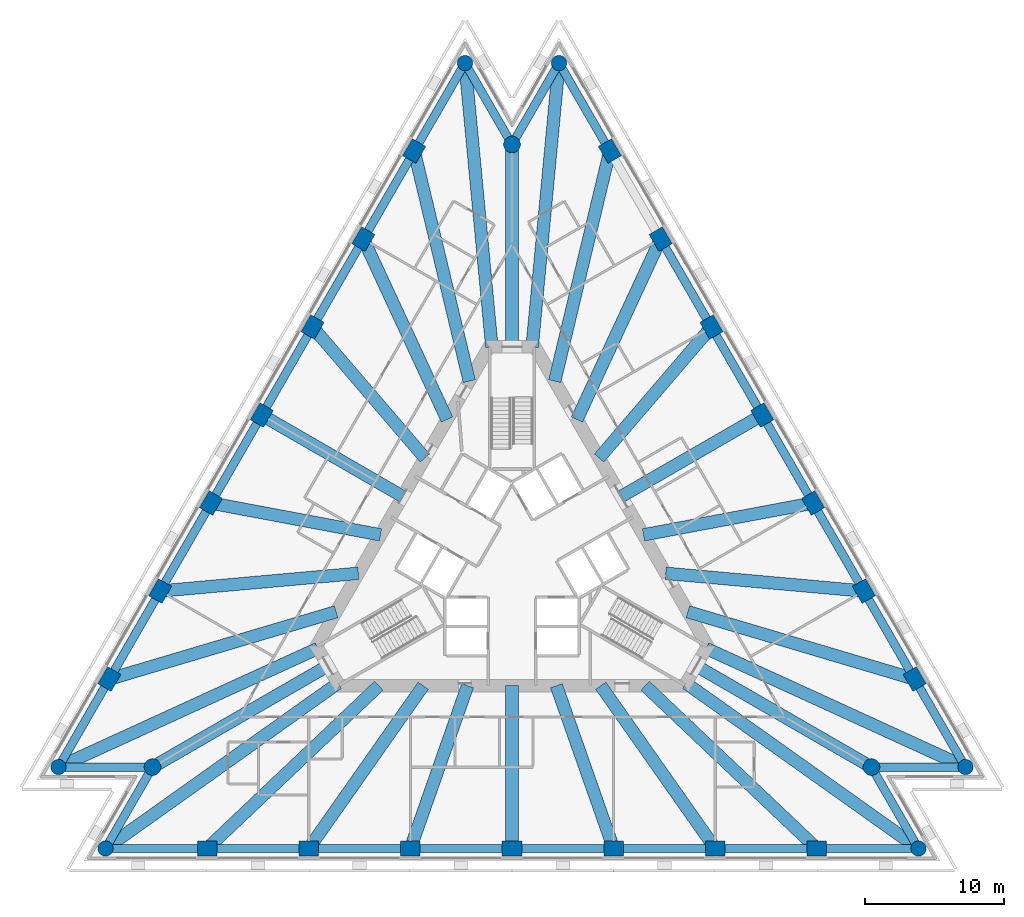
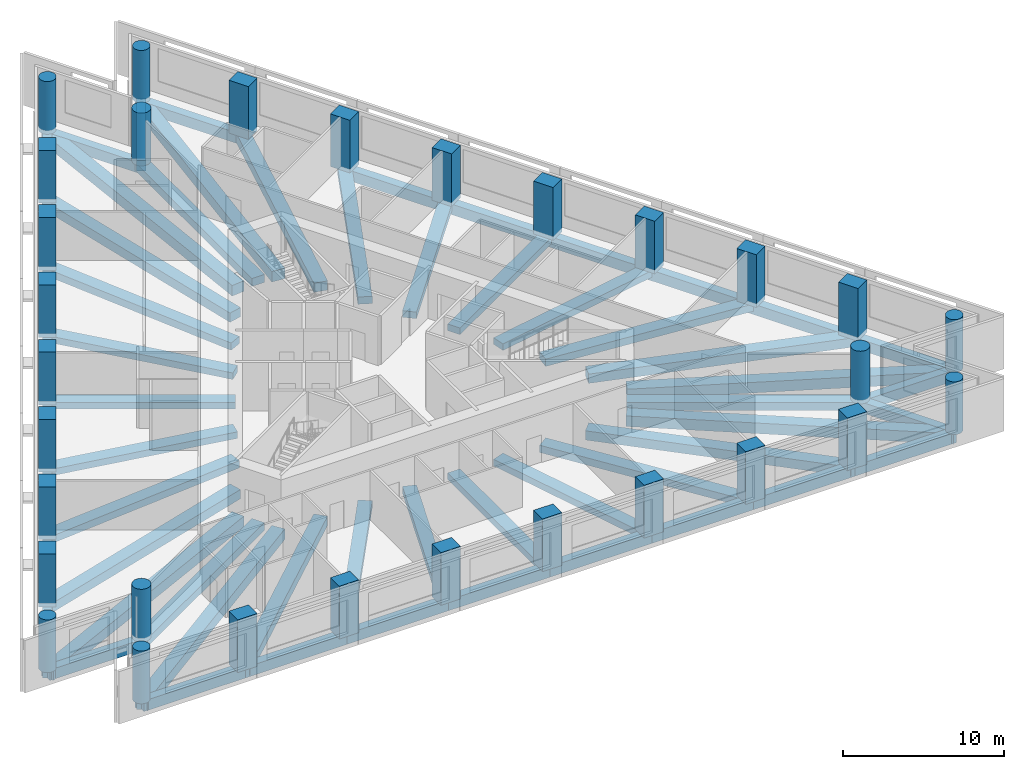
# One storey, part 1 of 11: 59 beams, 30 columns.
"""IFC4 building model written with IfcOpenShell, lengths in metres."""

from ifc_helpers import new_model, si_unit, direction, frame, origin, origin_2d, place, context, subcontext, project, spatial, rectangle, circle, extrude, material, material_profile, profile_set, type_object, element, save


model = new_model("IFC4")

# Units and contexts
model_context = context("Model", 3, precision=1e-05, world=origin(), true_north=direction((0.0, 1.0)))
body_context = subcontext(model_context, "Body", "Model", "MODEL_VIEW")
ifc_project = project(units=[si_unit("LENGTHUNIT", "METRE"), si_unit("AREAUNIT", "SQUARE_METRE"), si_unit("VOLUMEUNIT", "CUBIC_METRE"), si_unit("PLANEANGLEUNIT", "RADIAN"), si_unit("MASSUNIT", "GRAM", prefix="KILO")], contexts=[model_context])

# Site, building, storey
site_placement = place(None, origin())
site = spatial("IfcSite", under=ifc_project, at=site_placement, CompositionType="ELEMENT")
building_placement = place(site_placement, origin())
building = spatial("IfcBuilding", under=site, at=building_placement, Name="Triada Interchange Tower", CompositionType="ELEMENT")
storey_placement = place(building_placement, frame((0.0, 0.0, 75.300048828125)))
storey = spatial("IfcBuildingStorey", under=building, at=storey_placement, Name="L16", CompositionType="ELEMENT", Elevation=75.300048828125)

# Columns
ifc_material_1 = material(Name="Concrete C70/85", Category="concrete")
ifc_material_profile_1 = material_profile(ifc_material_1, rectangle(XDim=1.39990234375, YDim=1.10009765625, at=origin_2d()), Name="RC 1400x1100")
ifc_profile_set_1 = profile_set([ifc_material_profile_1], Name="Concrete C70/85")
column_type_1 = type_object("IfcColumnType", Name="Column A face RC 1400x1100", PredefinedType="COLUMN", material=ifc_profile_set_1)
for number, where, z_axis, x_axis, name in (
    (1, (-7.014892578125, 29.294921875, -0.300048828125), (0.0, 0.0, 1.0), (0.5, 0.866025403784, 0.0), "Column CA02 L16"),
    (2, (-10.657958984375, 22.98388671875, -0.300048828125), (0.0, 0.0, 1.0), (0.5, 0.866025403784, 0.0), "Column CA03 L16"),
    (3, (-14.302001953125, 16.672119140625, -0.300048828125), (0.0, 0.0, 1.0), (0.5, 0.866025403784, 0.0), "Column CA04 L16"),
    (4, (-17.946044921875, 10.361083984375, -0.300048828125), (0.0, 0.0, 1.0), (0.5, 0.866025403784, 0.0), "Column CA05 L16"),
    (5, (-21.590087890625, 4.050048828125, -0.300048828125), (0.0, 0.0, 1.0), (0.5, 0.866025403784, 0.0), "Column CA06 L16"),
    (6, (-25.23388671875, -2.260986328125, -0.300048828125), (0.0, 0.0, 1.0), (0.5, 0.866025403784, 0.0), "Column CA07 L16"),
    (7, (-28.876953125, -8.572998046875, -0.300048828125), (0.0, 0.0, 1.0), (0.5, 0.866025403784, 0.0), "Column CA08 L16"),
    (8, (-21.862060546875, -20.721923828125, -0.300048828125), (0.0, 0.0, 1.0), (1.0, 0.0, 0.0), "Column CA11 L16"),
    (9, (-14.574951171875, -20.721923828125, -0.300048828125), (0.0, 0.0, 1.0), (1.0, 0.0, 0.0), "Column CA12 L16"),
    (10, (-7.2880859375, -20.721923828125, -0.300048828125), (0.0, 0.0, 1.0), (1.0, 0.0, 0.0), "Column CA13 L16"),
    (11, (0.0, -20.721923828125, -0.300048828125), (0.0, 0.0, 1.0), (1.0, 0.0, 0.0), "Column CA14 L16"),
    (12, (7.2880859375, -20.721923828125, -0.300048828125), (0.0, 0.0, 1.0), (1.0, 0.0, 0.0), "Column CA15 L16"),
    (13, (14.574951171875, -20.721923828125, -0.300048828125), (0.0, 0.0, 1.0), (1.0, 0.0, 0.0), "Column CA16 L16"),
    (14, (21.862060546875, -20.721923828125, -0.300048828125), (0.0, 0.0, 1.0), (1.0, 0.0, 0.0), "Column CA17 L16"),
    (15, (28.876953125, -8.572998046875, -0.300048828125), (0.0, 0.0, 1.0), (-0.5, 0.866025403784, 0.0), "Column CA20 L16"),
    (16, (25.23388671875, -2.261962890625, -0.300048828125), (0.0, 0.0, 1.0), (-0.5, 0.866025403784, 0.0), "Column CA21 L16"),
    (17, (21.590087890625, 4.050048828125, -0.300048828125), (0.0, 0.0, 1.0), (-0.5, 0.866025403784, 0.0), "Column CA22 L16"),
    (18, (17.946044921875, 10.361083984375, -0.300048828125), (0.0, 0.0, 1.0), (-0.5, 0.866025403784, 0.0), "Column CA23 L16"),
    (19, (14.302001953125, 16.672119140625, -0.300048828125), (0.0, 0.0, 1.0), (-0.5, 0.866025403784, 0.0), "Column CA24 L16"),
    (20, (10.657958984375, 22.98388671875, -0.300048828125), (0.0, 0.0, 1.0), (-0.5, 0.866025403784, 0.0), "Column CA25 L16"),
    (21, (7.014892578125, 29.294921875, -0.300048828125), (0.0, 0.0, 1.0), (-0.5, 0.866025403784, 0.0), "Column CA26 L16"),
):
    element("IfcColumn", number, at=place(storey_placement, frame(where, z_axis=z_axis, x_axis=x_axis)), inside=storey, type_object=column_type_1, Name=name, PredefinedType="COLUMN", context=body_context, shape_type="SweptSolid", body=[
        extrude(rectangle(XDim=1.39990234375, YDim=1.10009765625, at=origin_2d()), origin(), (0.0, 0.0, 1.0), 4.0),
    ])
ifc_material_profile_2 = material_profile(ifc_material_1, circle(Radius=0.550048828125, at=origin_2d()), Name="RC D1100")
ifc_profile_set_2 = profile_set([ifc_material_profile_2], Name="Concrete C70/85")
column_type_2 = type_object("IfcColumnType", Name="End column A RC D1100", PredefinedType="COLUMN", material=ifc_profile_set_2)
for number, where, z_axis, x_axis, name in (
    (22, (-3.37109375, 35.60595703125, -0.300048828125), (0.0, 0.0, 1.0), (0.5, 0.866025403784, 0.0), "Column CA01 L16"),
    (23, (-32.52099609375, -14.884033203125, -0.300048828125), (0.0, 0.0, 1.0), (0.5, 0.866025403784, 0.0), "Column CA09 L16"),
    (24, (-29.14990234375, -20.721923828125, -0.300048828125), (0.0, 0.0, 1.0), (1.0, 0.0, 0.0), "Column CA10 L16"),
    (25, (29.14990234375, -20.721923828125, -0.300048828125), (0.0, 0.0, 1.0), (1.0, 0.0, 0.0), "Column CA18 L16"),
    (26, (32.52099609375, -14.884033203125, -0.300048828125), (0.0, 0.0, 1.0), (-0.5, 0.866025403784, 0.0), "Column CA19 L16"),
    (27, (3.37109375, 35.60595703125, -0.300048828125), (0.0, 0.0, 1.0), (-0.5, 0.866025403784, 0.0), "Column CA27 L16"),
):
    element("IfcColumn", number, at=place(storey_placement, frame(where, z_axis=z_axis, x_axis=x_axis)), inside=storey, type_object=column_type_2, Name=name, PredefinedType="COLUMN", context=body_context, shape_type="SweptSolid", body=[
        extrude(circle(Radius=0.550048828125, at=origin_2d()), origin(), (0.0, 0.0, 1.0), 4.0),
    ])
ifc_material_profile_3 = material_profile(ifc_material_1, circle(Radius=0.60009765625, at=origin_2d()), Name="RC D1200")
ifc_profile_set_3 = profile_set([ifc_material_profile_3], Name="Concrete C70/85")
column_type_3 = type_object("IfcColumnType", Name="Mega column A RC D1200", PredefinedType="COLUMN", material=ifc_profile_set_3)
for number, where, z_axis, x_axis, name in (
    (28, (0.0, 29.76806640625, -0.300048828125), (0.0, 0.0, 1.0), (1.0, 0.0, 0.0), "Column MA1 L16"),
    (29, (-25.780029296875, -14.884033203125, -0.300048828125), (0.0, 0.0, 1.0), (1.0, 0.0, 0.0), "Column MA2 L16"),
    (30, (25.780029296875, -14.884033203125, -0.300048828125), (0.0, 0.0, 1.0), (1.0, 0.0, 0.0), "Column MA3 L16"),
):
    element("IfcColumn", number, at=place(storey_placement, frame(where, z_axis=z_axis, x_axis=x_axis)), inside=storey, type_object=column_type_3, Name=name, PredefinedType="COLUMN", context=body_context, shape_type="SweptSolid", body=[
        extrude(circle(Radius=0.60009765625, at=origin_2d()), origin(), (0.0, 0.0, 1.0), 4.0),
    ])

# Beams
ifc_material_2 = material(Name="Concrete C50/60", Category="concrete")
ifc_material_profile_4 = material_profile(ifc_material_2, rectangle(XDim=0.89990234375, YDim=0.5, at=origin_2d()), Name="RC 900x500")
ifc_profile_set_4 = profile_set([ifc_material_profile_4], Name="Concrete C50/60")
beam_type_1 = type_object("IfcBeamType", Name="Radial band beam A RC 900x500", PredefinedType="BEAM", material=ifc_profile_set_4)
beam_1_placement = place(storey_placement, frame((-14.302001953125, 16.672119140625, -0.550048828125), z_axis=(0.651088692684, -0.759001656295, 0.0), x_axis=(0.759001656295, 0.651088692684, 0.0)))
element("IfcBeam", 31, at=beam_1_placement, inside=storey, type_object=beam_type_1, Name="Radial band beam BA04 L16", PredefinedType="BEAM", context=body_context, shape_type="SweptSolid", body=[
    extrude(rectangle(XDim=0.89990234375, YDim=0.5, at=origin_2d()), origin(), (0.0, 0.0, 1.0), 12.373046875),
])
beam_2_placement = place(storey_placement, frame((-17.946044921875, 10.361083984375, -0.550048828125), z_axis=(0.866016647085, -0.500015166741, 0.0), x_axis=(0.500015166741, 0.866016647085, 0.0)))
element("IfcBeam", 32, at=beam_2_placement, inside=storey, type_object=beam_type_1, Name="Radial band beam BA05 L16", PredefinedType="BEAM", context=body_context, shape_type="SweptSolid", body=[
    extrude(rectangle(XDim=0.89990234375, YDim=0.5, at=origin_2d()), origin(), (0.0, 0.0, 1.0), 11.672119140625),
])
beam_3_placement = place(storey_placement, frame((-21.590087890625, 4.050048828125, -0.550048828125), z_axis=(0.982860569516, -0.184350483839, 0.0), x_axis=(0.184350483839, 0.982860569516, 0.0)))
element("IfcBeam", 33, at=beam_3_placement, inside=storey, type_object=beam_type_1, Name="Radial band beam BA06 L16", PredefinedType="BEAM", context=body_context, shape_type="SweptSolid", body=[
    extrude(rectangle(XDim=0.89990234375, YDim=0.5, at=origin_2d()), origin(), (0.0, 0.0, 1.0), 12.373291015625),
])
beam_4_placement = place(storey_placement, frame((-7.2880859375, -20.721923828125, -0.550048828125), z_axis=(0.331777446319, 0.943357687261, 0.0), x_axis=(-0.943357687261, 0.331777446319, 0.0)))
element("IfcBeam", 34, at=beam_4_placement, inside=storey, type_object=beam_type_1, Name="Radial band beam BA14 L16", PredefinedType="BEAM", context=body_context, shape_type="SweptSolid", body=[
    extrude(rectangle(XDim=0.89990234375, YDim=0.5, at=origin_2d()), origin(), (0.0, 0.0, 1.0), 12.372802734375),
])
beam_5_placement = place(storey_placement, frame((0.0, -20.721923828125, -0.550048828125), z_axis=(0.0, 1.0, 0.0), x_axis=(-1.0, 0.0, 0.0)))
element("IfcBeam", 35, at=beam_5_placement, inside=storey, type_object=beam_type_1, Name="Radial band beam BA15 L16", PredefinedType="BEAM", context=body_context, shape_type="SweptSolid", body=[
    extrude(rectangle(XDim=0.89990234375, YDim=0.5, at=origin_2d()), origin(), (0.0, 0.0, 1.0), 11.671875),
])
beam_6_placement = place(storey_placement, frame((7.2880859375, -20.721923828125, -0.550048828125), z_axis=(-0.331777446319, 0.943357687261, 0.0), x_axis=(-0.943357687261, -0.331777446319, 0.0)))
element("IfcBeam", 36, at=beam_6_placement, inside=storey, type_object=beam_type_1, Name="Radial band beam BA16 L16", PredefinedType="BEAM", context=body_context, shape_type="SweptSolid", body=[
    extrude(rectangle(XDim=0.89990234375, YDim=0.5, at=origin_2d()), origin(), (0.0, 0.0, 1.0), 12.372802734375),
])
beam_7_placement = place(storey_placement, frame((21.590087890625, 4.050048828125, -0.550048828125), z_axis=(-0.982860569516, -0.184350483839, 0.0), x_axis=(0.184350483839, -0.982860569516, 0.0)))
element("IfcBeam", 37, at=beam_7_placement, inside=storey, type_object=beam_type_1, Name="Radial band beam BA24 L16", PredefinedType="BEAM", context=body_context, shape_type="SweptSolid", body=[
    extrude(rectangle(XDim=0.89990234375, YDim=0.5, at=origin_2d()), origin(), (0.0, 0.0, 1.0), 12.373291015625),
])
beam_8_placement = place(storey_placement, frame((17.946044921875, 10.361083984375, -0.550048828125), z_axis=(-0.866016647085, -0.500015166741, 0.0), x_axis=(0.500015166741, -0.866016647085, 0.0)))
element("IfcBeam", 38, at=beam_8_placement, inside=storey, type_object=beam_type_1, Name="Radial band beam BA25 L16", PredefinedType="BEAM", context=body_context, shape_type="SweptSolid", body=[
    extrude(rectangle(XDim=0.89990234375, YDim=0.5, at=origin_2d()), origin(), (0.0, 0.0, 1.0), 11.672119140625),
])
beam_9_placement = place(storey_placement, frame((14.302001953125, 16.672119140625, -0.550048828125), z_axis=(-0.651088692684, -0.759001656295, 0.0), x_axis=(0.759001656295, -0.651088692684, 0.0)))
element("IfcBeam", 39, at=beam_9_placement, inside=storey, type_object=beam_type_1, Name="Radial band beam BA26 L16", PredefinedType="BEAM", context=body_context, shape_type="SweptSolid", body=[
    extrude(rectangle(XDim=0.89990234375, YDim=0.5, at=origin_2d()), origin(), (0.0, 0.0, 1.0), 12.373046875),
])
ifc_material_profile_5 = material_profile(ifc_material_2, rectangle(XDim=0.89990234375, YDim=0.550048828125, at=origin_2d()), Name="RC 900x550")
ifc_profile_set_5 = profile_set([ifc_material_profile_5], Name="Concrete C50/60")
beam_type_2 = type_object("IfcBeamType", Name="Radial band beam A RC 900x550", PredefinedType="BEAM", material=ifc_profile_set_5)
beam_10_placement = place(storey_placement, frame((-10.657958984375, 22.98388671875, -0.574951171875), z_axis=(0.42067192096, -0.907212838818, 0.0), x_axis=(0.907212838818, 0.42067192096, 0.0)))
element("IfcBeam", 40, at=beam_10_placement, inside=storey, type_object=beam_type_2, Name="Radial band beam BA03 L16", PredefinedType="BEAM", context=body_context, shape_type="SweptSolid", body=[
    extrude(rectangle(XDim=0.89990234375, YDim=0.550048828125, at=origin_2d()), origin(), (0.0, 0.0, 1.0), 14.269775390625),
])
beam_11_placement = place(storey_placement, frame((-25.23388671875, -2.260986328125, -0.574951171875), z_axis=(0.99600766566, 0.089267743034, 0.0), x_axis=(-0.089267743034, 0.99600766566, 0.0)))
element("IfcBeam", 41, at=beam_11_placement, inside=storey, type_object=beam_type_2, Name="Radial band beam BA07 L16", PredefinedType="BEAM", context=body_context, shape_type="SweptSolid", body=[
    extrude(rectangle(XDim=0.89990234375, YDim=0.550048828125, at=origin_2d()), origin(), (0.0, 0.0, 1.0), 14.270751953125),
])
for number, where, z_axis, x_axis, name in (
    (42, (-14.574951171875, -20.721923828125, -0.574951171875), (0.575325573526, 0.817924498011, 0.0), (-0.817924498011, 0.575325573526, 0.0), "Radial band beam BA13 L16"),
    (43, (14.574951171875, -20.721923828125, -0.574951171875), (-0.575325573526, 0.817924498011, 0.0), (-0.817924498011, -0.575325573526, 0.0), "Radial band beam BA17 L16"),
):
    element("IfcBeam", number, at=place(storey_placement, frame(where, z_axis=z_axis, x_axis=x_axis)), inside=storey, type_object=beam_type_2, Name=name, PredefinedType="BEAM", context=body_context, shape_type="SweptSolid", body=[
        extrude(rectangle(XDim=0.89990234375, YDim=0.550048828125, at=origin_2d()), origin(), (0.0, 0.0, 1.0), 14.27001953125),
    ])
for number, where, z_axis, x_axis, name in (
    (44, (25.23388671875, -2.261962890625, -0.574951171875), (-0.996007120299, 0.089273827706, 0.0), (-0.089273827706, -0.996007120299, 0.0), "Radial band beam BA23 L16"),
    (45, (10.657958984375, 22.98388671875, -0.574951171875), (-0.42067192096, -0.907212838818, 0.0), (0.907212838818, -0.42067192096, 0.0), "Radial band beam BA27 L16"),
):
    element("IfcBeam", number, at=place(storey_placement, frame(where, z_axis=z_axis, x_axis=x_axis)), inside=storey, type_object=beam_type_2, Name=name, PredefinedType="BEAM", context=body_context, shape_type="SweptSolid", body=[
        extrude(rectangle(XDim=0.89990234375, YDim=0.550048828125, at=origin_2d()), origin(), (0.0, 0.0, 1.0), 14.269775390625),
    ])
ifc_material_profile_6 = material_profile(ifc_material_2, rectangle(XDim=0.89990234375, YDim=0.60009765625, at=origin_2d()), Name="RC 900x600")
ifc_profile_set_6 = profile_set([ifc_material_profile_6], Name="Concrete C50/60")
beam_type_3 = type_object("IfcBeamType", Name="Radial band beam A RC 900x600", PredefinedType="BEAM", material=ifc_profile_set_6)
for number, where, z_axis, x_axis, name in (
    (46, (-25.780029296875, -14.884033203125, -0.60009765625), (0.866025123534, 0.500000485408, 0.0), (-0.500000485408, 0.866025123534, 0.0), "Radial band beam BA10 L16"),
    (47, (25.780029296875, -14.884033203125, -0.60009765625), (-0.866025123534, 0.500000485408, 0.0), (-0.500000485408, -0.866025123534, 0.0), "Radial band beam BA20 L16"),
    (48, (0.0, 29.76806640625, -0.60009765625), (0.0, -1.0, 0.0), (1.0, 0.0, 0.0), "Radial band beam BA30 L16"),
):
    element("IfcBeam", number, at=place(storey_placement, frame(where, z_axis=z_axis, x_axis=x_axis)), inside=storey, type_object=beam_type_3, Name=name, PredefinedType="BEAM", context=body_context, shape_type="SweptSolid", body=[
        extrude(rectangle(XDim=0.89990234375, YDim=0.60009765625, at=origin_2d()), origin(), (0.0, 0.0, 1.0), 14.51806640625),
    ])
ifc_material_profile_7 = material_profile(ifc_material_2, rectangle(XDim=0.89990234375, YDim=0.699951171875, at=origin_2d()), Name="RC 900x700")
ifc_profile_set_7 = profile_set([ifc_material_profile_7], Name="Concrete C50/60")
beam_type_4 = type_object("IfcBeamType", Name="Radial band beam A RC 900x700", PredefinedType="BEAM", material=ifc_profile_set_7)
beam_12_placement = place(storey_placement, frame((-7.014892578125, 29.294921875, -0.650146484375), z_axis=(0.232895688339, -0.972501721517, 0.0), x_axis=(0.972501721517, 0.232895688339, 0.0)))
element("IfcBeam", 49, at=beam_12_placement, inside=storey, type_object=beam_type_4, Name="Radial band beam BA02 L16", PredefinedType="BEAM", context=body_context, shape_type="SweptSolid", body=[
    extrude(rectangle(XDim=0.89990234375, YDim=0.699951171875, at=origin_2d()), origin(), (0.0, 0.0, 1.0), 16.968505859375),
])
for number, where, z_axis, x_axis, name in (
    (50, (-28.876953125, -8.572998046875, -0.650146484375), (0.958639443618, 0.284623289875, 0.0), (-0.284623289875, 0.958639443618, 0.0), "Radial band beam BA08 L16"),
    (51, (-21.862060546875, -20.721923828125, -0.650146484375), (0.725775700998, 0.68793141507, 0.0), (-0.68793141507, 0.725775700998, 0.0), "Radial band beam BA12 L16"),
    (52, (21.862060546875, -20.721923828125, -0.650146484375), (-0.725775700998, 0.68793141507, 0.0), (-0.68793141507, -0.725775700998, 0.0), "Radial band beam BA18 L16"),
    (53, (28.876953125, -8.572998046875, -0.650146484375), (-0.958639443618, 0.284623289875, 0.0), (-0.284623289875, -0.958639443618, 0.0), "Radial band beam BA22 L16"),
):
    element("IfcBeam", number, at=place(storey_placement, frame(where, z_axis=z_axis, x_axis=x_axis)), inside=storey, type_object=beam_type_4, Name=name, PredefinedType="BEAM", context=body_context, shape_type="SweptSolid", body=[
        extrude(rectangle(XDim=0.89990234375, YDim=0.699951171875, at=origin_2d()), origin(), (0.0, 0.0, 1.0), 16.966552734375),
    ])
beam_13_placement = place(storey_placement, frame((7.014892578125, 29.294921875, -0.650146484375), z_axis=(-0.232895688339, -0.972501721517, 0.0), x_axis=(0.972501721517, -0.232895688339, 0.0)))
element("IfcBeam", 54, at=beam_13_placement, inside=storey, type_object=beam_type_4, Name="Radial band beam BA28 L16", PredefinedType="BEAM", context=body_context, shape_type="SweptSolid", body=[
    extrude(rectangle(XDim=0.89990234375, YDim=0.699951171875, at=origin_2d()), origin(), (0.0, 0.0, 1.0), 16.968505859375),
])
ifc_material_profile_8 = material_profile(ifc_material_2, rectangle(XDim=0.89990234375, YDim=0.800048828125, at=origin_2d()), Name="RC 900x800")
ifc_profile_set_8 = profile_set([ifc_material_profile_8], Name="Concrete C50/60")
beam_type_5 = type_object("IfcBeamType", Name="Radial band beam A RC 900x800", PredefinedType="BEAM", material=ifc_profile_set_8)
beam_14_placement = place(storey_placement, frame((-3.37109375, 35.60595703125, -0.699951171875), z_axis=(0.094243917314, -0.995549136934, 0.0), x_axis=(0.995549136934, 0.094243917314, 0.0)))
element("IfcBeam", 55, at=beam_14_placement, inside=storey, type_object=beam_type_5, Name="Radial band beam BA01 L16", PredefinedType="BEAM", context=body_context, shape_type="SweptSolid", body=[
    extrude(rectangle(XDim=0.89990234375, YDim=0.800048828125, at=origin_2d()), origin(), (0.0, 0.0, 1.0), 20.447021484375),
])
beam_15_placement = place(storey_placement, frame((-32.52099609375, -14.884033203125, -0.699951171875), z_axis=(0.909292889271, 0.416156751143, 0.0), x_axis=(-0.416156751143, 0.909292889271, 0.0)))
element("IfcBeam", 56, at=beam_15_placement, inside=storey, type_object=beam_type_5, Name="Radial band beam BA09 L16", PredefinedType="BEAM", context=body_context, shape_type="SweptSolid", body=[
    extrude(rectangle(XDim=0.89990234375, YDim=0.800048828125, at=origin_2d()), origin(), (0.0, 0.0, 1.0), 20.44677734375),
])
for number, where, z_axis, x_axis, name in (
    (57, (-29.14990234375, -20.721923828125, -0.699951171875), (0.815038401501, 0.57940694169, 0.0), (-0.57940694169, 0.815038401501, 0.0), "Radial band beam BA11 L16"),
    (58, (29.14990234375, -20.721923828125, -0.699951171875), (-0.815038401501, 0.57940694169, 0.0), (-0.57940694169, -0.815038401501, 0.0), "Radial band beam BA19 L16"),
):
    element("IfcBeam", number, at=place(storey_placement, frame(where, z_axis=z_axis, x_axis=x_axis)), inside=storey, type_object=beam_type_5, Name=name, PredefinedType="BEAM", context=body_context, shape_type="SweptSolid", body=[
        extrude(rectangle(XDim=0.89990234375, YDim=0.800048828125, at=origin_2d()), origin(), (0.0, 0.0, 1.0), 20.446533203125),
    ])
beam_16_placement = place(storey_placement, frame((32.52099609375, -14.884033203125, -0.699951171875), z_axis=(-0.909292889271, 0.416156751143, 0.0), x_axis=(-0.416156751143, -0.909292889271, 0.0)))
element("IfcBeam", 59, at=beam_16_placement, inside=storey, type_object=beam_type_5, Name="Radial band beam BA21 L16", PredefinedType="BEAM", context=body_context, shape_type="SweptSolid", body=[
    extrude(rectangle(XDim=0.89990234375, YDim=0.800048828125, at=origin_2d()), origin(), (0.0, 0.0, 1.0), 20.44677734375),
])
beam_17_placement = place(storey_placement, frame((3.37109375, 35.60595703125, -0.699951171875), z_axis=(-0.094243917314, -0.995549136934, 0.0), x_axis=(0.995549136934, -0.094243917314, 0.0)))
element("IfcBeam", 60, at=beam_17_placement, inside=storey, type_object=beam_type_5, Name="Radial band beam BA29 L16", PredefinedType="BEAM", context=body_context, shape_type="SweptSolid", body=[
    extrude(rectangle(XDim=0.89990234375, YDim=0.800048828125, at=origin_2d()), origin(), (0.0, 0.0, 1.0), 20.447021484375),
])
ifc_material_profile_9 = material_profile(ifc_material_2, rectangle(XDim=0.60009765625, YDim=0.800048828125, at=origin_2d()), Name="RC 600x800")
ifc_profile_set_9 = profile_set([ifc_material_profile_9], Name="Concrete C50/60")
beam_type_6 = type_object("IfcBeamType", Name="Spandrel beam A RC 600x800", PredefinedType="BEAM", material=ifc_profile_set_9)
beam_18_placement = place(storey_placement, frame((-3.37109375, 35.60595703125, -0.699951171875), z_axis=(-0.500012451049, -0.866018215049, 0.0), x_axis=(0.866018215049, -0.500012451049, 0.0)))
element("IfcBeam", 61, at=beam_18_placement, inside=storey, type_object=beam_type_6, Name="Spandrel beam EA01 L16", PredefinedType="BEAM", context=body_context, shape_type="SweptSolid", body=[
    extrude(rectangle(XDim=0.60009765625, YDim=0.800048828125, at=origin_2d()), origin(), (0.0, 0.0, 1.0), 7.287353515625),
])
beam_19_placement = place(storey_placement, frame((-7.014892578125, 29.294921875, -0.699951171875), z_axis=(-0.499937067856, -0.866061734626, 0.0), x_axis=(0.866061734626, -0.499937067856, 0.0)))
element("IfcBeam", 62, at=beam_19_placement, inside=storey, type_object=beam_type_6, Name="Spandrel beam EA02 L16", PredefinedType="BEAM", context=body_context, shape_type="SweptSolid", body=[
    extrude(rectangle(XDim=0.60009765625, YDim=0.800048828125, at=origin_2d()), origin(), (0.0, 0.0, 1.0), 7.287109375),
])
beam_20_placement = place(storey_placement, frame((-10.657958984375, 22.98388671875, -0.699951171875), z_axis=(-0.499994058011, -0.866028834366, 0.0), x_axis=(0.866028834366, -0.499994058011, 0.0)))
element("IfcBeam", 63, at=beam_20_placement, inside=storey, type_object=beam_type_6, Name="Spandrel beam EA03 L16", PredefinedType="BEAM", context=body_context, shape_type="SweptSolid", body=[
    extrude(rectangle(XDim=0.60009765625, YDim=0.800048828125, at=origin_2d()), origin(), (0.0, 0.0, 1.0), 7.2880859375),
])
for number, where, z_axis, x_axis, name in (
    (64, (-14.302001953125, 16.672119140625, -0.699951171875), (-0.500037576254, -0.866003708037, 0.0), (0.866003708037, -0.500037576254, 0.0), "Spandrel beam EA04 L16"),
    (65, (-17.946044921875, 10.361083984375, -0.699951171875), (-0.500037576254, -0.866003708037, 0.0), (0.866003708037, -0.500037576254, 0.0), "Spandrel beam EA05 L16"),
):
    element("IfcBeam", number, at=place(storey_placement, frame(where, z_axis=z_axis, x_axis=x_axis)), inside=storey, type_object=beam_type_6, Name=name, PredefinedType="BEAM", context=body_context, shape_type="SweptSolid", body=[
        extrude(rectangle(XDim=0.60009765625, YDim=0.800048828125, at=origin_2d()), origin(), (0.0, 0.0, 1.0), 7.28759765625),
    ])
beam_21_placement = place(storey_placement, frame((-21.590087890625, 4.050048828125, -0.699951171875), z_axis=(-0.500012451049, -0.866018215049, 0.0), x_axis=(0.866018215049, -0.500012451049, 0.0)))
element("IfcBeam", 66, at=beam_21_placement, inside=storey, type_object=beam_type_6, Name="Spandrel beam EA06 L16", PredefinedType="BEAM", context=body_context, shape_type="SweptSolid", body=[
    extrude(rectangle(XDim=0.60009765625, YDim=0.800048828125, at=origin_2d()), origin(), (0.0, 0.0, 1.0), 7.287353515625),
])
beam_22_placement = place(storey_placement, frame((-25.23388671875, -2.260986328125, -0.699951171875), z_axis=(-0.499879048825, -0.866095223717, 0.0), x_axis=(0.866095223717, -0.499879048825, 0.0)))
element("IfcBeam", 67, at=beam_22_placement, inside=storey, type_object=beam_type_6, Name="Spandrel beam EA07 L16", PredefinedType="BEAM", context=body_context, shape_type="SweptSolid", body=[
    extrude(rectangle(XDim=0.60009765625, YDim=0.800048828125, at=origin_2d()), origin(), (0.0, 0.0, 1.0), 7.287841796875),
])
beam_23_placement = place(storey_placement, frame((-28.876953125, -8.572998046875, -0.699951171875), z_axis=(-0.500037576254, -0.866003708037, 0.0), x_axis=(0.866003708037, -0.500037576254, 0.0)))
element("IfcBeam", 68, at=beam_23_placement, inside=storey, type_object=beam_type_6, Name="Spandrel beam EA08 L16", PredefinedType="BEAM", context=body_context, shape_type="SweptSolid", body=[
    extrude(rectangle(XDim=0.60009765625, YDim=0.800048828125, at=origin_2d()), origin(), (0.0, 0.0, 1.0), 7.28759765625),
])
beam_24_placement = place(storey_placement, frame((-32.52099609375, -14.884033203125, -0.699951171875), z_axis=(1.0, 0.0, 0.0), x_axis=(0.0, 1.0, 0.0)))
element("IfcBeam", 69, at=beam_24_placement, inside=storey, type_object=beam_type_6, Name="Spandrel beam EA09 L16", PredefinedType="BEAM", context=body_context, shape_type="SweptSolid", body=[
    extrude(rectangle(XDim=0.60009765625, YDim=0.800048828125, at=origin_2d()), origin(), (0.0, 0.0, 1.0), 6.740966796875),
])
beam_25_placement = place(storey_placement, frame((-25.780029296875, -14.884033203125, -0.699951171875), z_axis=(-0.499929381361, -0.866066171636, 0.0), x_axis=(0.866066171636, -0.499929381361, 0.0)))
element("IfcBeam", 70, at=beam_25_placement, inside=storey, type_object=beam_type_6, Name="Spandrel beam EA10 L16", PredefinedType="BEAM", context=body_context, shape_type="SweptSolid", body=[
    extrude(rectangle(XDim=0.60009765625, YDim=0.800048828125, at=origin_2d()), origin(), (0.0, 0.0, 1.0), 6.74072265625),
])
beam_26_placement = place(storey_placement, frame((-29.14990234375, -20.721923828125, -0.699951171875), z_axis=(1.0, 0.0, 0.0), x_axis=(0.0, 1.0, 0.0)))
element("IfcBeam", 71, at=beam_26_placement, inside=storey, type_object=beam_type_6, Name="Spandrel beam EA11 L16", PredefinedType="BEAM", context=body_context, shape_type="SweptSolid", body=[
    extrude(rectangle(XDim=0.60009765625, YDim=0.800048828125, at=origin_2d()), origin(), (0.0, 0.0, 1.0), 7.287841796875),
])
beam_27_placement = place(storey_placement, frame((-21.862060546875, -20.721923828125, -0.699951171875), z_axis=(1.0, 0.0, 0.0), x_axis=(0.0, 1.0, 0.0)))
element("IfcBeam", 72, at=beam_27_placement, inside=storey, type_object=beam_type_6, Name="Spandrel beam EA12 L16", PredefinedType="BEAM", context=body_context, shape_type="SweptSolid", body=[
    extrude(rectangle(XDim=0.60009765625, YDim=0.800048828125, at=origin_2d()), origin(), (0.0, 0.0, 1.0), 7.287109375),
])
beam_28_placement = place(storey_placement, frame((-14.574951171875, -20.721923828125, -0.699951171875), z_axis=(1.0, 0.0, 0.0), x_axis=(0.0, 1.0, 0.0)))
element("IfcBeam", 73, at=beam_28_placement, inside=storey, type_object=beam_type_6, Name="Spandrel beam EA13 L16", PredefinedType="BEAM", context=body_context, shape_type="SweptSolid", body=[
    extrude(rectangle(XDim=0.60009765625, YDim=0.800048828125, at=origin_2d()), origin(), (0.0, 0.0, 1.0), 7.286865234375),
])
for number, where, z_axis, x_axis, name in (
    (74, (-7.2880859375, -20.721923828125, -0.699951171875), (1.0, 0.0, 0.0), (0.0, 1.0, 0.0), "Spandrel beam EA14 L16"),
    (75, (0.0, -20.721923828125, -0.699951171875), (1.0, 0.0, 0.0), (0.0, 1.0, 0.0), "Spandrel beam EA15 L16"),
):
    element("IfcBeam", number, at=place(storey_placement, frame(where, z_axis=z_axis, x_axis=x_axis)), inside=storey, type_object=beam_type_6, Name=name, PredefinedType="BEAM", context=body_context, shape_type="SweptSolid", body=[
        extrude(rectangle(XDim=0.60009765625, YDim=0.800048828125, at=origin_2d()), origin(), (0.0, 0.0, 1.0), 7.2880859375),
    ])
beam_29_placement = place(storey_placement, frame((7.2880859375, -20.721923828125, -0.699951171875), z_axis=(1.0, 0.0, 0.0), x_axis=(0.0, 1.0, 0.0)))
element("IfcBeam", 76, at=beam_29_placement, inside=storey, type_object=beam_type_6, Name="Spandrel beam EA16 L16", PredefinedType="BEAM", context=body_context, shape_type="SweptSolid", body=[
    extrude(rectangle(XDim=0.60009765625, YDim=0.800048828125, at=origin_2d()), origin(), (0.0, 0.0, 1.0), 7.286865234375),
])
beam_30_placement = place(storey_placement, frame((14.574951171875, -20.721923828125, -0.699951171875), z_axis=(1.0, 0.0, 0.0), x_axis=(0.0, 1.0, 0.0)))
element("IfcBeam", 77, at=beam_30_placement, inside=storey, type_object=beam_type_6, Name="Spandrel beam EA17 L16", PredefinedType="BEAM", context=body_context, shape_type="SweptSolid", body=[
    extrude(rectangle(XDim=0.60009765625, YDim=0.800048828125, at=origin_2d()), origin(), (0.0, 0.0, 1.0), 7.287109375),
])
beam_31_placement = place(storey_placement, frame((21.862060546875, -20.721923828125, -0.699951171875), z_axis=(1.0, 0.0, 0.0), x_axis=(0.0, 1.0, 0.0)))
element("IfcBeam", 78, at=beam_31_placement, inside=storey, type_object=beam_type_6, Name="Spandrel beam EA18 L16", PredefinedType="BEAM", context=body_context, shape_type="SweptSolid", body=[
    extrude(rectangle(XDim=0.60009765625, YDim=0.800048828125, at=origin_2d()), origin(), (0.0, 0.0, 1.0), 7.287841796875),
])
beam_32_placement = place(storey_placement, frame((29.14990234375, -20.721923828125, -0.699951171875), z_axis=(-0.499929381361, 0.866066171636, 0.0), x_axis=(-0.866066171636, -0.499929381361, 0.0)))
element("IfcBeam", 79, at=beam_32_placement, inside=storey, type_object=beam_type_6, Name="Spandrel beam EA19 L16", PredefinedType="BEAM", context=body_context, shape_type="SweptSolid", body=[
    extrude(rectangle(XDim=0.60009765625, YDim=0.800048828125, at=origin_2d()), origin(), (0.0, 0.0, 1.0), 6.74072265625),
])
beam_33_placement = place(storey_placement, frame((25.780029296875, -14.884033203125, -0.699951171875), z_axis=(1.0, 0.0, 0.0), x_axis=(0.0, 1.0, 0.0)))
element("IfcBeam", 80, at=beam_33_placement, inside=storey, type_object=beam_type_6, Name="Spandrel beam EA20 L16", PredefinedType="BEAM", context=body_context, shape_type="SweptSolid", body=[
    extrude(rectangle(XDim=0.60009765625, YDim=0.800048828125, at=origin_2d()), origin(), (0.0, 0.0, 1.0), 6.740966796875),
])
beam_34_placement = place(storey_placement, frame((32.52099609375, -14.884033203125, -0.699951171875), z_axis=(-0.500037576254, 0.866003708037, 0.0), x_axis=(-0.866003708037, -0.500037576254, 0.0)))
element("IfcBeam", 81, at=beam_34_placement, inside=storey, type_object=beam_type_6, Name="Spandrel beam EA21 L16", PredefinedType="BEAM", context=body_context, shape_type="SweptSolid", body=[
    extrude(rectangle(XDim=0.60009765625, YDim=0.800048828125, at=origin_2d()), origin(), (0.0, 0.0, 1.0), 7.28759765625),
])
beam_35_placement = place(storey_placement, frame((28.876953125, -8.572998046875, -0.699951171875), z_axis=(-0.499937067856, 0.866061734626, 0.0), x_axis=(-0.866061734626, -0.499937067856, 0.0)))
element("IfcBeam", 82, at=beam_35_placement, inside=storey, type_object=beam_type_6, Name="Spandrel beam EA22 L16", PredefinedType="BEAM", context=body_context, shape_type="SweptSolid", body=[
    extrude(rectangle(XDim=0.60009765625, YDim=0.800048828125, at=origin_2d()), origin(), (0.0, 0.0, 1.0), 7.287109375),
])
beam_36_placement = place(storey_placement, frame((25.23388671875, -2.261962890625, -0.699951171875), z_axis=(-0.499954429099, 0.866051712558, 0.0), x_axis=(-0.866051712558, -0.499954429099, 0.0)))
element("IfcBeam", 83, at=beam_36_placement, inside=storey, type_object=beam_type_6, Name="Spandrel beam EA23 L16", PredefinedType="BEAM", context=body_context, shape_type="SweptSolid", body=[
    extrude(rectangle(XDim=0.60009765625, YDim=0.800048828125, at=origin_2d()), origin(), (0.0, 0.0, 1.0), 7.288330078125),
])
for number, where, z_axis, x_axis, name in (
    (84, (21.590087890625, 4.050048828125, -0.699951171875), (-0.500037576254, 0.866003708037, 0.0), (-0.866003708037, -0.500037576254, 0.0), "Spandrel beam EA24 L16"),
    (85, (17.946044921875, 10.361083984375, -0.699951171875), (-0.500037576254, 0.866003708037, 0.0), (-0.866003708037, -0.500037576254, 0.0), "Spandrel beam EA25 L16"),
):
    element("IfcBeam", number, at=place(storey_placement, frame(where, z_axis=z_axis, x_axis=x_axis)), inside=storey, type_object=beam_type_6, Name=name, PredefinedType="BEAM", context=body_context, shape_type="SweptSolid", body=[
        extrude(rectangle(XDim=0.60009765625, YDim=0.800048828125, at=origin_2d()), origin(), (0.0, 0.0, 1.0), 7.28759765625),
    ])
beam_37_placement = place(storey_placement, frame((14.302001953125, 16.672119140625, -0.699951171875), z_axis=(-0.499994058011, 0.866028834366, 0.0), x_axis=(-0.866028834366, -0.499994058011, 0.0)))
element("IfcBeam", 86, at=beam_37_placement, inside=storey, type_object=beam_type_6, Name="Spandrel beam EA26 L16", PredefinedType="BEAM", context=body_context, shape_type="SweptSolid", body=[
    extrude(rectangle(XDim=0.60009765625, YDim=0.800048828125, at=origin_2d()), origin(), (0.0, 0.0, 1.0), 7.2880859375),
])
beam_38_placement = place(storey_placement, frame((7.014892578125, 29.294921875, -0.699951171875), z_axis=(-0.500012451049, 0.866018215049, 0.0), x_axis=(-0.866018215049, -0.500012451049, 0.0)))
element("IfcBeam", 87, at=beam_38_placement, inside=storey, type_object=beam_type_6, Name="Spandrel beam EA28 L16", PredefinedType="BEAM", context=body_context, shape_type="SweptSolid", body=[
    extrude(rectangle(XDim=0.60009765625, YDim=0.800048828125, at=origin_2d()), origin(), (0.0, 0.0, 1.0), 7.287353515625),
])
for number, where, z_axis, x_axis, name in (
    (88, (3.37109375, 35.60595703125, -0.699951171875), (-0.500065196552, -0.865987759266, 0.0), (0.865987759266, -0.500065196552, 0.0), "Spandrel beam EA29 L16"),
    (89, (0.0, 29.76806640625, -0.699951171875), (-0.500065196552, 0.865987759266, 0.0), (-0.865987759266, -0.500065196552, 0.0), "Spandrel beam EA30 L16"),
):
    element("IfcBeam", number, at=place(storey_placement, frame(where, z_axis=z_axis, x_axis=x_axis)), inside=storey, type_object=beam_type_6, Name=name, PredefinedType="BEAM", context=body_context, shape_type="SweptSolid", body=[
        extrude(rectangle(XDim=0.60009765625, YDim=0.800048828125, at=origin_2d()), origin(), (0.0, 0.0, 1.0), 6.7412109375),
    ])

save(model, "model.ifc")
